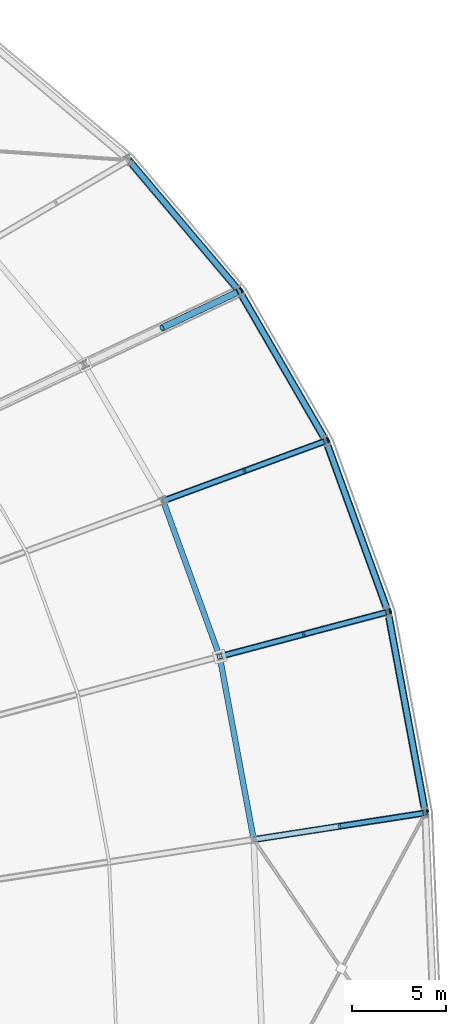
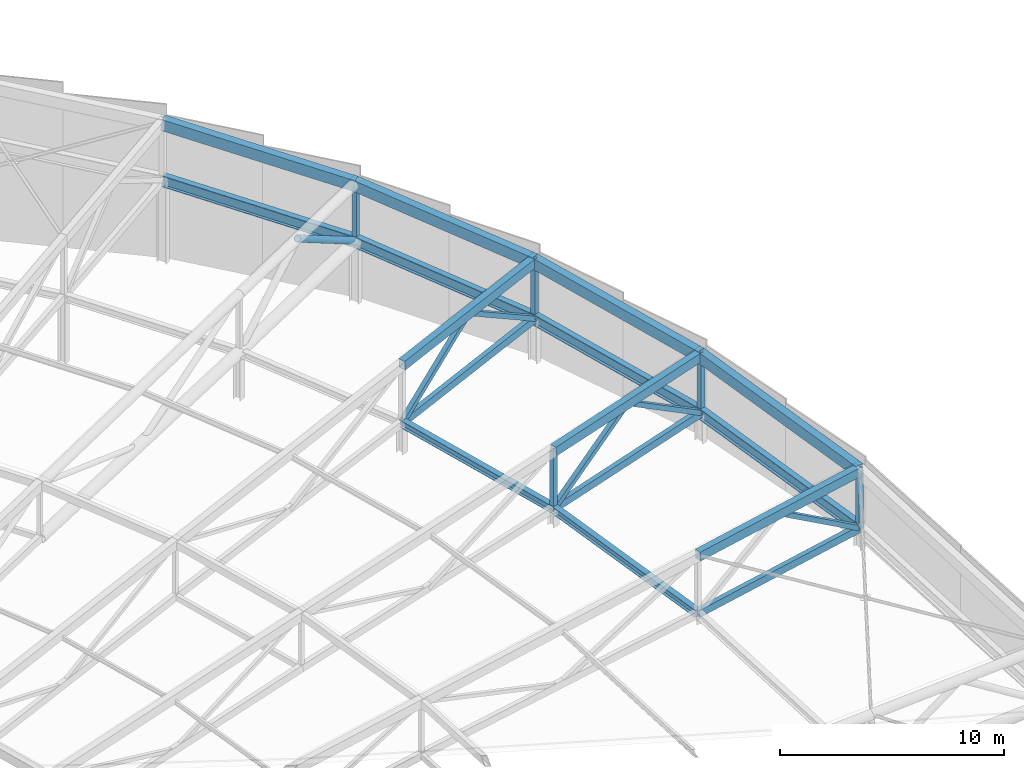
# One storey, part 86 of 143: 16 beams, 11 members.
"""IFC4 building model written with IfcOpenShell, lengths in metres."""

from ifc_helpers import new_model, si_unit, direction, frame, origin, origin_2d, place, context, subcontext, project, spatial, hollow_rectangle, hollow_circle, i_section, extrude, material, material_profile, profile_set, type_object, element, save


model = new_model("IFC4")

# Units and contexts
model_context = context("Model", 3, precision=1e-05, world=origin(), true_north=direction((0.0, 1.0)))
body_context = subcontext(model_context, "Body", "Model", "MODEL_VIEW")
ifc_project = project(units=[si_unit("LENGTHUNIT", "METRE"), si_unit("AREAUNIT", "SQUARE_METRE"), si_unit("VOLUMEUNIT", "CUBIC_METRE"), si_unit("PLANEANGLEUNIT", "RADIAN"), si_unit("MASSUNIT", "GRAM", prefix="KILO")], contexts=[model_context])

# Site, building, storey
site_placement = place(None, origin())
site = spatial("IfcSite", under=ifc_project, at=site_placement, CompositionType="ELEMENT")
building_placement = place(site_placement, origin())
building = spatial("IfcBuilding", under=site, at=building_placement, Name="Mphavela Belvedere Stadium", CompositionType="ELEMENT")
storey_placement = place(building_placement, frame((0.0, 0.0, 28.800048828125)))
storey = spatial("IfcBuildingStorey", under=building, at=storey_placement, Name="RF", CompositionType="ELEMENT", Elevation=28.800048828125)

# Beams
ifc_material_1 = material(Name="Steel S355", Category="steel")
ifc_material_profile_1 = material_profile(ifc_material_1, hollow_rectangle(XDim=0.39990234375, YDim=0.60009765625, WallThickness=0.02001953125, at=origin_2d()), Name="RHS 600x400x20")
ifc_profile_set_1 = profile_set([ifc_material_profile_1], Name="Steel S355")
beam_type_1 = type_object("IfcBeamType", Name="BM-RING-OUT", PredefinedType="BEAM", material=ifc_profile_set_1)
beam_1_placement = place(storey_placement, frame((217.155517578125, 102.844970703125, 4.16943359375), z_axis=(-0.182465993272, 0.98222864974, 0.043966361346), x_axis=(-0.983179372393, -0.18264260648, 0.0)))
element("IfcBeam", 1, at=beam_1_placement, inside=storey, type_object=beam_type_1, Name="Perimeter compression ring beam RB-OUT-02", PredefinedType="BEAM", context=body_context, shape_type="SweptSolid", body=[
    extrude(hollow_rectangle(XDim=0.39990234375, YDim=0.60009765625, WallThickness=0.02001953125, at=origin_2d()), origin(), (0.0, 0.0, 1.0), 10.911376953125),
])
beam_2_placement = place(storey_placement, frame((215.16455078125, 113.5625, 4.649169921875), z_axis=(-0.339968578653, 0.93716524652, 0.078375163435), x_axis=(-0.94005692197, -0.341017570596, 0.0)))
element("IfcBeam", 2, at=beam_2_placement, inside=storey, type_object=beam_type_1, Name="Perimeter compression ring beam RB-OUT-03", PredefinedType="BEAM", context=body_context, shape_type="SweptSolid", body=[
    extrude(hollow_rectangle(XDim=0.39990234375, YDim=0.60009765625, WallThickness=0.02001953125, at=origin_2d()), origin(), (0.0, 0.0, 1.0), 9.7314453125),
])
beam_3_placement = place(storey_placement, frame((211.856201171875, 122.682373046875, 5.411865234375), z_axis=(-0.49767882815, 0.8607068018, 0.107236119601), x_axis=(-0.865698783248, -0.500565297122, 0.0)))
element("IfcBeam", 3, at=beam_3_placement, inside=storey, type_object=beam_type_1, Name="Perimeter compression ring beam RB-OUT-04", PredefinedType="BEAM", context=body_context, shape_type="SweptSolid", body=[
    extrude(hollow_rectangle(XDim=0.39990234375, YDim=0.60009765625, WallThickness=0.02001953125, at=origin_2d()), origin(), (0.0, 0.0, 1.0), 9.2705078125),
])
beam_4_placement = place(storey_placement, frame((207.242431640625, 130.66162109375, 6.406005859375), z_axis=(-0.640062920781, 0.758001984379, 0.125508761127), x_axis=(-0.764043650952, -0.645164552218, 0.0)))
element("IfcBeam", 4, at=beam_4_placement, inside=storey, type_object=beam_type_1, Name="Perimeter compression ring beam RB-OUT-05", PredefinedType="BEAM", context=body_context, shape_type="SweptSolid", body=[
    extrude(hollow_rectangle(XDim=0.39990234375, YDim=0.60009765625, WallThickness=0.02001953125, at=origin_2d()), origin(), (0.0, 0.0, 1.0), 9.22412109375),
])
ifc_material_2 = material(Name="Steel S355", Category="steel")
ifc_material_profile_2 = material_profile(ifc_material_2, i_section(OverallWidth=0.300048828125, OverallDepth=0.39990234375, WebThickness=0.013427734375, FlangeThickness=0.02392578125, at=origin_2d()), Name="HEB 400")
ifc_profile_set_2 = profile_set([ifc_material_profile_2], Name="Steel S355")
beam_type_2 = type_object("IfcBeamType", Name="BM-STEEL-HEB400", PredefinedType="BEAM", material=ifc_profile_set_2)
beam_5_placement = place(storey_placement, frame((208.0, 101.4248046875, 0.48046875), z_axis=(-0.182461823347, 0.982231515362, 0.043919622619), x_axis=(-0.983180217585, -0.182638056683, 0.0)))
element("IfcBeam", 5, at=beam_5_placement, inside=storey, type_object=beam_type_2, Name="Roof bottom-chord tie girder R3-02", PredefinedType="BEAM", context=body_context, shape_type="SweptSolid", body=[
    extrude(i_section(OverallWidth=0.300048828125, OverallDepth=0.39990234375, WebThickness=0.013427734375, FlangeThickness=0.02392578125, at=origin_2d()), origin(), (0.0, 0.0, 1.0), 9.93359375),
])
beam_6_placement = place(storey_placement, frame((206.1875, 111.181884765625, 0.916748046875), z_axis=(-0.339980753487, 0.937158586677, 0.07840198133), x_axis=(-0.940052229987, -0.341030504348, 0.0)))
element("IfcBeam", 6, at=beam_6_placement, inside=storey, type_object=beam_type_2, Name="Roof bottom-chord tie girder R3-03", PredefinedType="BEAM", context=body_context, shape_type="SweptSolid", body=[
    extrude(i_section(OverallWidth=0.300048828125, OverallDepth=0.39990234375, WebThickness=0.013427734375, FlangeThickness=0.02392578125, at=origin_2d()), origin(), (0.0, 0.0, 1.0), 8.859130859375),
])
ifc_material_3 = material(Name="Steel S355", Category="steel")
ifc_material_profile_3 = material_profile(ifc_material_3, i_section(OverallWidth=0.300048828125, OverallDepth=0.60009765625, WebThickness=0.015380859375, FlangeThickness=0.030029296875, at=origin_2d()), Name="HEB 600")
ifc_profile_set_3 = profile_set([ifc_material_profile_3], Name="Steel S355")
beam_type_3 = type_object("IfcBeamType", Name="BM-STEEL-HEB600", PredefinedType="BEAM", material=ifc_profile_set_3)
beam_7_placement = place(storey_placement, frame((217.155517578125, 102.844970703125, 1.074462890625), z_axis=(-0.182466172724, 0.982229615749, 0.043944029826), x_axis=(-0.983179372393, -0.18264260648, 0.0)))
element("IfcBeam", 7, at=beam_7_placement, inside=storey, type_object=beam_type_3, Name="Roof bottom-chord tie girder R4-02", PredefinedType="BEAM", context=body_context, shape_type="SweptSolid", body=[
    extrude(i_section(OverallWidth=0.300048828125, OverallDepth=0.60009765625, WebThickness=0.015380859375, FlangeThickness=0.030029296875, at=origin_2d()), origin(), (0.0, 0.0, 1.0), 10.911376953125),
])
beam_8_placement = place(storey_placement, frame((215.16455078125, 113.5625, 1.553955078125), z_axis=(-0.339967910074, 0.937163403499, 0.078400097335), x_axis=(-0.94005692197, -0.341017570596, 0.0)))
element("IfcBeam", 8, at=beam_8_placement, inside=storey, type_object=beam_type_3, Name="Roof bottom-chord tie girder R4-03", PredefinedType="BEAM", context=body_context, shape_type="SweptSolid", body=[
    extrude(i_section(OverallWidth=0.300048828125, OverallDepth=0.60009765625, WebThickness=0.015380859375, FlangeThickness=0.030029296875, at=origin_2d()), origin(), (0.0, 0.0, 1.0), 9.7314453125),
])
beam_9_placement = place(storey_placement, frame((211.856201171875, 122.682373046875, 2.31689453125), z_axis=(-0.49767882815, 0.8607068018, 0.107236119601), x_axis=(-0.865698783248, -0.500565297122, 0.0)))
element("IfcBeam", 9, at=beam_9_placement, inside=storey, type_object=beam_type_3, Name="Roof bottom-chord tie girder R4-04", PredefinedType="BEAM", context=body_context, shape_type="SweptSolid", body=[
    extrude(i_section(OverallWidth=0.300048828125, OverallDepth=0.60009765625, WebThickness=0.015380859375, FlangeThickness=0.030029296875, at=origin_2d()), origin(), (0.0, 0.0, 1.0), 9.2705078125),
])
beam_10_placement = place(storey_placement, frame((207.242431640625, 130.66162109375, 3.31103515625), z_axis=(-0.640062920781, 0.758001984379, 0.125508761127), x_axis=(-0.764043650952, -0.645164552218, 0.0)))
element("IfcBeam", 10, at=beam_10_placement, inside=storey, type_object=beam_type_3, Name="Roof bottom-chord tie girder R4-05", PredefinedType="BEAM", context=body_context, shape_type="SweptSolid", body=[
    extrude(i_section(OverallWidth=0.300048828125, OverallDepth=0.60009765625, WebThickness=0.015380859375, FlangeThickness=0.030029296875, at=origin_2d()), origin(), (0.0, 0.0, 1.0), 9.22412109375),
])
ifc_material_4 = material(Name="Steel S355", Category="steel")
ifc_material_profile_4 = material_profile(ifc_material_4, hollow_rectangle(XDim=0.25, YDim=0.39990234375, WallThickness=0.01611328125, at=origin_2d()), Name="RHS 400x250x16")
ifc_profile_set_4 = profile_set([ifc_material_profile_4], Name="Steel S355")
beam_type_4 = type_object("IfcBeamType", Name="BM-TRUSS-BC2", PredefinedType="BEAM", material=ifc_profile_set_4)
beam_11_placement = place(storey_placement, frame((217.155517578125, 102.844970703125, 1.074462890625), z_axis=(-0.986157749242, -0.152968710897, -0.063980208632), x_axis=(0.153282761586, -0.988182369303, 0.0)))
element("IfcBeam", 11, at=beam_11_placement, inside=storey, type_object=beam_type_4, Name="Radial roof truss RT-02 bottom chord 1", PredefinedType="BEAM", context=body_context, shape_type="SweptSolid", body=[
    extrude(hollow_rectangle(XDim=0.25, YDim=0.39990234375, WallThickness=0.01611328125, at=origin_2d()), origin(), (0.0, 0.0, 1.0), 9.283935546875),
])
beam_12_placement = place(storey_placement, frame((215.16455078125, 113.5625, 1.553955078125), z_axis=(-0.964322564095, -0.255727748776, -0.068449330767), x_axis=(0.256328944196, -0.966589609073, 0.0)))
element("IfcBeam", 12, at=beam_12_placement, inside=storey, type_object=beam_type_4, Name="Radial roof truss RT-03 bottom chord 1", PredefinedType="BEAM", context=body_context, shape_type="SweptSolid", body=[
    extrude(hollow_rectangle(XDim=0.25, YDim=0.39990234375, WallThickness=0.01611328125, at=origin_2d()), origin(), (0.0, 0.0, 1.0), 9.30908203125),
])
beam_13_placement = place(storey_placement, frame((211.856201171875, 122.682373046875, 2.31689453125), z_axis=(-0.935630744709, -0.344690829254, -0.076048285865), x_axis=(0.345691905967, -0.938348073025, 0.0)))
element("IfcBeam", 13, at=beam_13_placement, inside=storey, type_object=beam_type_4, Name="Radial roof truss RT-04 bottom chord 1", PredefinedType="BEAM", context=body_context, shape_type="SweptSolid", body=[
    extrude(hollow_rectangle(XDim=0.25, YDim=0.39990234375, WallThickness=0.01611328125, at=origin_2d()), origin(), (0.0, 0.0, 1.0), 9.27783203125),
])
ifc_material_5 = material(Name="Steel S355", Category="steel")
ifc_material_profile_5 = material_profile(ifc_material_5, hollow_rectangle(XDim=0.35009765625, YDim=0.5, WallThickness=0.02001953125, at=origin_2d()), Name="RHS 500x350x20")
ifc_profile_set_5 = profile_set([ifc_material_profile_5], Name="Steel S355")
beam_type_5 = type_object("IfcBeamType", Name="BM-TRUSS-TC2", PredefinedType="BEAM", material=ifc_profile_set_5)
beam_14_placement = place(storey_placement, frame((217.155517578125, 102.844970703125, 4.224609375), z_axis=(-0.986156089717, -0.152968453478, -0.064006397759), x_axis=(0.153282761586, -0.988182369303, 0.0)))
element("IfcBeam", 14, at=beam_14_placement, inside=storey, type_object=beam_type_5, Name="Radial roof truss RT-02 top chord 1", PredefinedType="BEAM", context=body_context, shape_type="SweptSolid", body=[
    extrude(hollow_rectangle(XDim=0.35009765625, YDim=0.5, WallThickness=0.02001953125, at=origin_2d()), origin(), (0.0, 0.0, 1.0), 9.283935546875),
])
beam_15_placement = place(storey_placement, frame((215.16455078125, 113.5625, 4.7041015625), z_axis=(-0.964322564095, -0.255727748776, -0.068449330767), x_axis=(0.256328944196, -0.966589609073, 0.0)))
element("IfcBeam", 15, at=beam_15_placement, inside=storey, type_object=beam_type_5, Name="Radial roof truss RT-03 top chord 1", PredefinedType="BEAM", context=body_context, shape_type="SweptSolid", body=[
    extrude(hollow_rectangle(XDim=0.35009765625, YDim=0.5, WallThickness=0.02001953125, at=origin_2d()), origin(), (0.0, 0.0, 1.0), 9.30908203125),
])
beam_16_placement = place(storey_placement, frame((211.856201171875, 122.682373046875, 5.466796875), z_axis=(-0.935630744709, -0.344690829254, -0.076048285865), x_axis=(0.345691905967, -0.938348073025, 0.0)))
element("IfcBeam", 16, at=beam_16_placement, inside=storey, type_object=beam_type_5, Name="Radial roof truss RT-04 top chord 1", PredefinedType="BEAM", context=body_context, shape_type="SweptSolid", body=[
    extrude(hollow_rectangle(XDim=0.35009765625, YDim=0.5, WallThickness=0.02001953125, at=origin_2d()), origin(), (0.0, 0.0, 1.0), 9.27783203125),
])

# Members
ifc_material_6 = material(Name="Steel S355", Category="steel")
ifc_material_profile_6 = material_profile(ifc_material_6, hollow_circle(Radius=0.177734375, WallThickness=0.01611328125, at=origin_2d()), Name="CHS 355.6x16")
ifc_profile_set_6 = profile_set([ifc_material_profile_6], Name="Steel S355")
member_type_1 = type_object("IfcMemberType", Name="MEM-DIAG-355", PredefinedType="BRACE", material=ifc_profile_set_6)
member_1_placement = place(storey_placement, frame((207.242431640625, 130.66162109375, 3.31103515625), z_axis=(-0.774385979506, -0.366588129806, 0.515693220656), x_axis=(0.427870623613, -0.903839991065, 0.0)))
element("IfcMember", 17, at=member_1_placement, inside=storey, type_object=member_type_1, Name="Radial roof truss RT-05 web diagonal D1", PredefinedType="BRACE", context=body_context, shape_type="SweptSolid", body=[
    extrude(hollow_circle(Radius=0.177734375, WallThickness=0.01611328125, at=origin_2d()), origin(), (0.0, 0.0, 1.0), 5.337890625),
])
ifc_material_7 = material(Name="Steel S355", Category="steel")
ifc_material_profile_7 = material_profile(ifc_material_7, hollow_rectangle(XDim=0.25, YDim=0.25, WallThickness=0.012451171875, at=origin_2d()), Name="SHS 250x250x12.5")
ifc_profile_set_7 = profile_set([ifc_material_profile_7], Name="Steel S355")
member_type_2 = type_object("IfcMemberType", Name="MEM-POST-SHS250", PredefinedType="POST", material=ifc_profile_set_7)
member_2_placement = place(storey_placement, frame((217.155517578125, 102.844970703125, 1.074462890625), z_axis=(0.0, 0.0, 1.0), x_axis=(0.98817491911, 0.153330783737, 0.0)))
element("IfcMember", 18, at=member_2_placement, inside=storey, type_object=member_type_2, Name="Radial roof truss RT-02 post P1", PredefinedType="POST", context=body_context, shape_type="SweptSolid", body=[
    extrude(hollow_rectangle(XDim=0.25, YDim=0.25, WallThickness=0.012451171875, at=origin_2d()), origin(), (0.0, 0.0, 1.0), 3.150146484375),
])
member_3_placement = place(storey_placement, frame((217.155517578125, 102.844970703125, 1.074462890625), z_axis=(-0.841419827389, -0.130491646208, 0.5243897447), x_axis=(0.153253039077, -0.988186979277, 0.0)))
element("IfcMember", 19, at=member_3_placement, inside=storey, type_object=member_type_2, Name="Radial roof truss RT-02 web diagonal D1", PredefinedType="POST", context=body_context, shape_type="SweptSolid", body=[
    extrude(hollow_rectangle(XDim=0.25, YDim=0.25, WallThickness=0.012451171875, at=origin_2d()), origin(), (0.0, 0.0, 1.0), 5.440673828125),
])
for number, where, z_axis, x_axis, name in (
    (20, (215.16455078125, 113.5625, 1.553955078125), (0.0, 0.0, 1.0), (0.966600102017, 0.256289373133, 0.0), "Radial roof truss RT-03 post P1"),
    (21, (206.1875, 111.181884765625, 0.916748046875), (0.0, 0.0, 1.0), (0.966600102017, 0.256289373133, 0.0), "Radial roof truss RT-03 post P2"),
):
    element("IfcMember", number, at=place(storey_placement, frame(where, z_axis=z_axis, x_axis=x_axis)), inside=storey, type_object=member_type_2, Name=name, PredefinedType="POST", context=body_context, shape_type="SweptSolid", body=[
        extrude(hollow_rectangle(XDim=0.25, YDim=0.25, WallThickness=0.012451171875, at=origin_2d()), origin(), (0.0, 0.0, 1.0), 3.150146484375),
    ])
member_4_placement = place(storey_placement, frame((215.16455078125, 113.5625, 1.553955078125), z_axis=(-0.825271763283, -0.218830560022, 0.520614735412), x_axis=(0.2563043837, -0.966596121912, 0.0)))
element("IfcMember", 22, at=member_4_placement, inside=storey, type_object=member_type_2, Name="Radial roof truss RT-03 web diagonal D1", PredefinedType="POST", context=body_context, shape_type="SweptSolid", body=[
    extrude(hollow_rectangle(XDim=0.25, YDim=0.25, WallThickness=0.012451171875, at=origin_2d()), origin(), (0.0, 0.0, 1.0), 5.43896484375),
])
member_5_placement = place(storey_placement, frame((210.676025390625, 112.372314453125, 4.385498046875), z_axis=(-0.774387876637, -0.205380216833, -0.598449983751), x_axis=(0.256353504195, -0.966583095697, 0.0)))
element("IfcMember", 23, at=member_5_placement, inside=storey, type_object=member_type_2, Name="Radial roof truss RT-03 web diagonal D2", PredefinedType="POST", context=body_context, shape_type="SweptSolid", body=[
    extrude(hollow_rectangle(XDim=0.25, YDim=0.25, WallThickness=0.012451171875, at=origin_2d()), origin(), (0.0, 0.0, 1.0), 5.796142578125),
])
member_6_placement = place(storey_placement, frame((211.856201171875, 122.682373046875, 2.31689453125), z_axis=(0.0, 0.0, 1.0), x_axis=(0.938372433776, 0.34562577382, 0.0)))
element("IfcMember", 24, at=member_6_placement, inside=storey, type_object=member_type_2, Name="Radial roof truss RT-04 post P1", PredefinedType="POST", context=body_context, shape_type="SweptSolid", body=[
    extrude(hollow_rectangle(XDim=0.25, YDim=0.25, WallThickness=0.012451171875, at=origin_2d()), origin(), (0.0, 0.0, 1.0), 3.14990234375),
])
member_7_placement = place(storey_placement, frame((211.856201171875, 122.682373046875, 2.31689453125), z_axis=(-0.80294578517, -0.295831639828, 0.517456961452), x_axis=(0.345715142592, -0.938339512214, 0.0)))
element("IfcMember", 25, at=member_7_placement, inside=storey, type_object=member_type_2, Name="Radial roof truss RT-04 web diagonal D1", PredefinedType="POST", context=body_context, shape_type="SweptSolid", body=[
    extrude(hollow_rectangle(XDim=0.25, YDim=0.25, WallThickness=0.012451171875, at=origin_2d()), origin(), (0.0, 0.0, 1.0), 5.405517578125),
])
member_8_placement = place(storey_placement, frame((207.515869140625, 121.083251953125, 5.114013671875), z_axis=(-0.748069688663, -0.275571402354, -0.603698718823), x_axis=(0.345668668705, -0.938356633416, 0.0)))
element("IfcMember", 26, at=member_8_placement, inside=storey, type_object=member_type_2, Name="Radial roof truss RT-04 web diagonal D2", PredefinedType="POST", context=body_context, shape_type="SweptSolid", body=[
    extrude(hollow_rectangle(XDim=0.25, YDim=0.25, WallThickness=0.012451171875, at=origin_2d()), origin(), (0.0, 0.0, 1.0), 5.802001953125),
])
member_9_placement = place(storey_placement, frame((207.242431640625, 130.66162109375, 3.31103515625), z_axis=(0.0, 0.0, 1.0), x_axis=(0.903858661687, 0.4278311813, 0.0)))
element("IfcMember", 27, at=member_9_placement, inside=storey, type_object=member_type_2, Name="Radial roof truss RT-05 post P1", PredefinedType="POST", context=body_context, shape_type="SweptSolid", body=[
    extrude(hollow_rectangle(XDim=0.25, YDim=0.25, WallThickness=0.012451171875, at=origin_2d()), origin(), (0.0, 0.0, 1.0), 3.14990234375),
])

save(model, "model.ifc")
